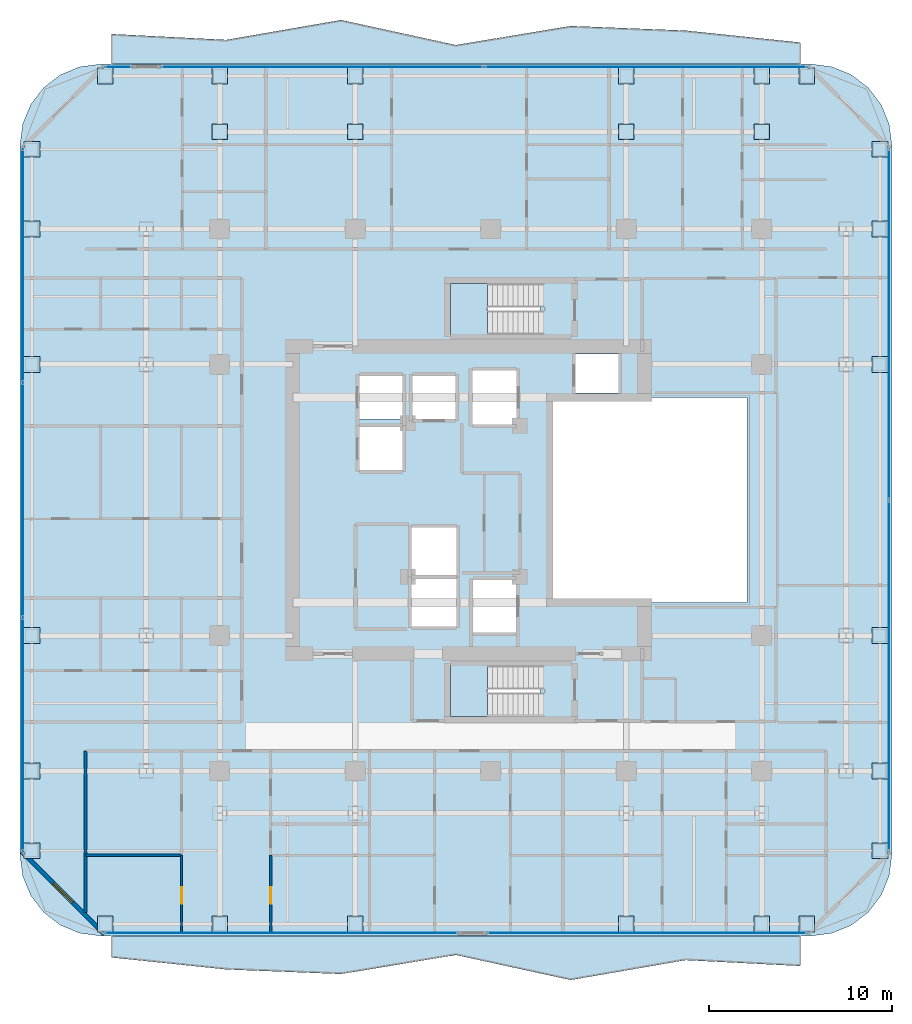
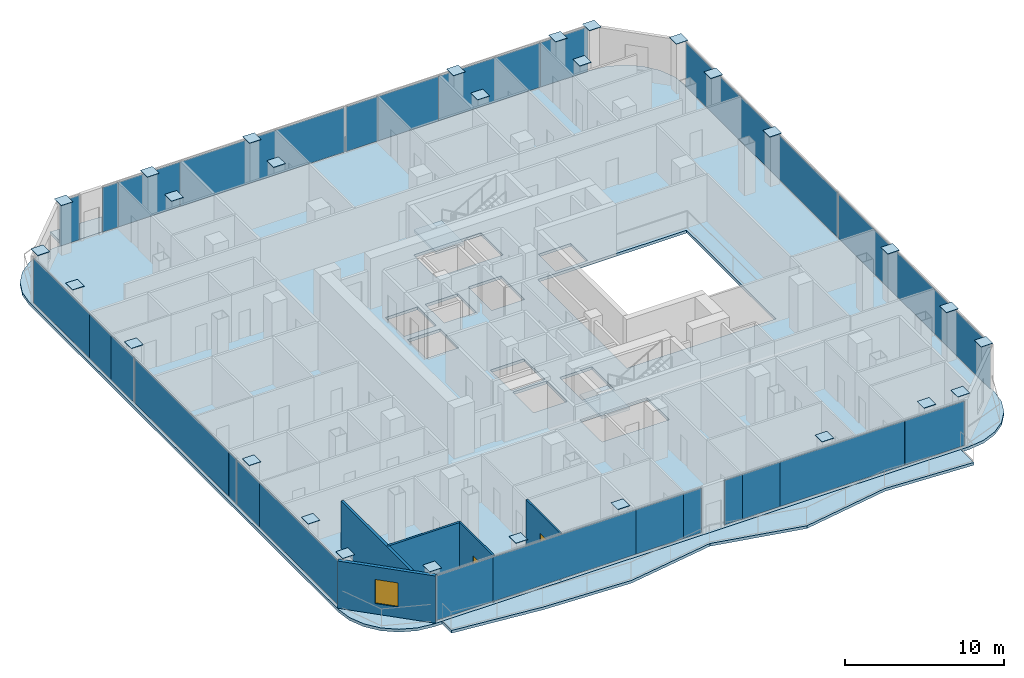
# One storey, part 18 of 26: 53 plates, 5 slabs, 5 walls, 2 doors, 1 window, 3 openings, 8 elements without a shape of their own.
"""IFC4 building model written with IfcOpenShell, lengths in metres."""

from ifc_helpers import new_model, si_unit, direction, frame, frame_2d, origin, origin_2d, place, context, subcontext, project, spatial, polyline, rectangle, outline, extrude, material, layer, layer_set, type_object, element, fill, aggregate, save


model = new_model("IFC4")

# Units and contexts
model_context = context("Model", 3, precision=1e-05, world=origin(), true_north=direction((0.0, 1.0)))
body_context = subcontext(model_context, "Body", "Model", "MODEL_VIEW")
ifc_project = project(units=[si_unit("LENGTHUNIT", "METRE"), si_unit("AREAUNIT", "SQUARE_METRE"), si_unit("VOLUMEUNIT", "CUBIC_METRE"), si_unit("PLANEANGLEUNIT", "RADIAN"), si_unit("MASSUNIT", "GRAM", prefix="KILO")], contexts=[model_context])

# Site, building, storey
site_placement = place(None, origin())
site = spatial("IfcSite", under=ifc_project, at=site_placement, CompositionType="ELEMENT")
building_placement = place(site_placement, origin())
building = spatial("IfcBuilding", under=site, at=building_placement, Name="Khorvyn Point Tower", CompositionType="ELEMENT")
storey_placement = place(building_placement, frame((0.0, 0.0, 187.5)))
storey = spatial("IfcBuildingStorey", under=building, at=storey_placement, Name="L46", CompositionType="ELEMENT", Elevation=187.5)

# Slabs
ifc_material_1 = material(Name="Concrete C35/45", Category="concrete")
ifc_layer_1 = layer(ifc_material_1, 0.219970703125)
ifc_layer_set_1 = layer_set([ifc_layer_1], Name="Concrete C35/45 Structural Floor Slab 220")
slab_type_1 = type_object("IfcSlabType", Name="Concrete C35/45 Structural Floor Slab 220", PredefinedType="FLOOR", material=ifc_layer_set_1)
slab_1_placement = place(storey_placement, frame((0.0, 0.0, -0.219970703125)))
element("IfcSlab", 1, at=slab_1_placement, inside=storey, type_object=slab_type_1, Name="L46 Main Structural Floor Slab", PredefinedType="FLOOR", context=body_context, shape_type="SweptSolid", body=[
    extrude(outline(polyline([(-21.300048828125, -23.800048828125), (-22.438720703125, -23.650146484375), (-23.5, -23.21044921875), (-24.411376953125, -22.51123046875), (-25.110595703125, -21.60009765625), (-25.550048828125, -20.538818359375), (-25.699951171875, -19.39990234375), (-25.699951171875, 19.39990234375), (-25.550048828125, 20.538818359375), (-25.110595703125, 21.60009765625), (-24.411376953125, 22.51123046875), (-23.5, 23.21044921875), (-22.438720703125, 23.650146484375), (-21.300048828125, 23.800048828125), (17.5, 23.800048828125), (18.638916015625, 23.650146484375), (19.699951171875, 23.21044921875), (20.611328125, 22.51123046875), (21.310546875, 21.60009765625), (21.75, 20.538818359375), (21.89990234375, 19.39990234375), (21.89990234375, -19.39990234375), (21.75, -20.538818359375), (21.310546875, -21.60009765625), (20.611328125, -22.51123046875), (19.699951171875, -23.21044921875), (18.638916015625, -23.650146484375), (17.5, -23.800048828125), (-21.300048828125, -23.800048828125)]), holes=[polyline([(-1.875, -6.89990234375), (-1.875, -4.300048828125), (-4.324951171875, -4.300048828125), (-4.324951171875, -6.89990234375), (-1.875, -6.89990234375)]), polyline([(-1.875, -4.10009765625), (-1.875, -1.5), (-4.324951171875, -1.5), (-4.324951171875, -4.10009765625), (-1.875, -4.10009765625)]), polyline([(-4.824951171875, 1.625), (-4.824951171875, 3.97509765625), (-7.175048828125, 3.97509765625), (-7.175048828125, 1.625), (-4.824951171875, 1.625)]), polyline([(-7.175048828125, 4.425048828125), (-4.824951171875, 4.425048828125), (-4.824951171875, 6.77490234375), (-7.175048828125, 6.77490234375), (-7.175048828125, 4.425048828125)]), polyline([(-4.27490234375, 4.425048828125), (-1.925048828125, 4.425048828125), (-1.925048828125, 6.77490234375), (-4.27490234375, 6.77490234375), (-4.27490234375, 4.425048828125)]), polyline([(1.39990234375, 4.125), (1.39990234375, 7.074951171875), (-1.0, 7.074951171875), (-1.0, 4.125), (1.39990234375, 4.125)]), polyline([(-2.199951171875, -11.820068359375), (2.679931640625, -11.820068359375), (2.679931640625, -9.02001953125), (-2.199951171875, -9.02001953125), (-2.199951171875, -11.820068359375)]), polyline([(-0.97509765625, -7.22509765625), (1.375, -7.22509765625), (1.375, -4.375), (-0.97509765625, -4.375), (-0.97509765625, -7.22509765625)]), polyline([(14.0, -5.60009765625), (14.0, 5.60009765625), (3.199951171875, 5.60009765625), (3.199951171875, -5.60009765625), (14.0, -5.60009765625)]), polyline([(4.625, 5.85009765625), (6.97509765625, 5.85009765625), (6.97509765625, 7.97998046875), (4.625, 7.97998046875), (4.625, 5.85009765625)]), polyline([(-2.199951171875, 9.02001953125), (2.679931640625, 9.02001953125), (2.679931640625, 11.820068359375), (-2.199951171875, 11.820068359375), (-2.199951171875, 9.02001953125)])]), origin(), (0.0, 0.0, 1.0), 0.219970703125),
])
ifc_material_2 = material(Name="Concrete C40/50", Category="concrete")
ifc_layer_2 = layer(ifc_material_2, 0.2099609375)
ifc_layer_set_2 = layer_set([ifc_layer_2], Name="Concrete C40/50 Rippling Balcony Slab 210")
slab_type_2 = type_object("IfcSlabType", Name="Concrete C40/50 Rippling Balcony Slab 210", PredefinedType="USERDEFINED", material=ifc_layer_set_2)
slab_2_placement = place(storey_placement, frame((0.0, 0.0, -0.2099609375)))
element("IfcSlab", 2, at=slab_2_placement, inside=storey, type_object=slab_type_2, Name="L46 North Sinusoidal Rippling Balcony", ObjectType="BALCONY", PredefinedType="USERDEFINED", context=body_context, shape_type="SweptSolid", body=[
    extrude(outline(polyline([(16.89990234375, 23.800048828125), (16.89990234375, 24.978759765625), (10.63330078125, 25.630859375), (4.36669921875, 25.8798828125), (-1.89990234375, 24.8408203125), (-8.166748046875, 26.20703125), (-14.433349609375, 25.12255859375), (-20.699951171875, 25.441650390625), (-20.699951171875, 23.800048828125), (16.89990234375, 23.800048828125)])), origin(), (0.0, 0.0, 1.0), 0.2099609375),
])
slab_3_placement = place(storey_placement, frame((0.0, 0.0, -0.2099609375)))
element("IfcSlab", 3, at=slab_3_placement, inside=storey, type_object=slab_type_2, Name="L46 South Sinusoidal Rippling Balcony", ObjectType="BALCONY", PredefinedType="USERDEFINED", context=body_context, shape_type="SweptSolid", body=[
    extrude(outline(polyline([(-20.699951171875, -23.800048828125), (-20.699951171875, -24.978759765625), (-14.433349609375, -25.630859375), (-8.166748046875, -25.8798828125), (-1.89990234375, -24.8408203125), (4.36669921875, -26.20703125), (10.63330078125, -25.12255859375), (16.89990234375, -25.441650390625), (16.89990234375, -23.800048828125), (-20.699951171875, -23.800048828125)])), origin(), (0.0, 0.0, 1.0), 0.2099609375),
])

# Stair, slab
stair_type = type_object("IfcStairType", Name="Tower Concrete C40/50 Dogleg Exit Stair", PredefinedType="HALF_TURN_STAIR", material=ifc_material_2)
stair_1_placement = place(storey_placement, origin())
stair_1 = element("IfcStair", 4, at=stair_1_placement, inside=storey, type_object=stair_type, Name="L46 Tower Smokeproof Exit Stair South", PredefinedType="HALF_TURN_STAIR")
ifc_layer_3 = layer(ifc_material_2, 0.199951171875)
ifc_layer_set_3 = layer_set([ifc_layer_3], Name="Concrete C40/50 Stair Landing Slab 200")
slab_type_3 = type_object("IfcSlabType", Name="Concrete C40/50 Stair Landing Slab 200", PredefinedType="LANDING", material=ifc_layer_set_3)
slab_4_placement = place(storey_placement, frame((0.0, 0.0, 1.75)))
slab_4 = element("IfcSlab", 5, at=slab_4_placement, type_object=slab_type_3, Name="ST-01 landing 1", PredefinedType="LANDING", context=body_context, shape_type="SweptSolid", body=[
    extrude(outline(polyline([(-0.179931640625, -9.02001953125), (-2.199951171875, -9.02001953125), (-2.199951171875, -11.820068359375), (-0.179931640625, -11.820068359375), (-0.179931640625, -9.02001953125)])), origin(), (0.0, 0.0, 1.0), 0.199951171875),
])
aggregate(stair_1, [slab_4])

stair_2_placement = place(storey_placement, origin())
stair_2 = element("IfcStair", 6, at=stair_2_placement, inside=storey, type_object=stair_type, Name="L46 Tower Smokeproof Exit Stair North", PredefinedType="HALF_TURN_STAIR")
slab_5_placement = place(storey_placement, frame((0.0, 0.0, 1.75)))
slab_5 = element("IfcSlab", 7, at=slab_5_placement, type_object=slab_type_3, Name="ST-02 landing 1", PredefinedType="LANDING", context=body_context, shape_type="SweptSolid", body=[
    extrude(outline(polyline([(-0.179931640625, 11.820068359375), (-2.199951171875, 11.820068359375), (-2.199951171875, 9.02001953125), (-0.179931640625, 9.02001953125), (-0.179931640625, 11.820068359375)])), origin(), (0.0, 0.0, 1.0), 0.199951171875),
])
aggregate(stair_2, [slab_5])

# Plates
ifc_material_3 = material(Name="Steel S450", Category="steel")
ifc_layer_4 = layer(ifc_material_3, 0.031982421875)
ifc_layer_set_4 = layer_set([ifc_layer_4], Name="Steel S450 Exoskeleton End Cap Plate 32")
plate_type_1 = type_object("IfcPlateType", Name="Steel S450 Exoskeleton End Cap Plate 32", PredefinedType="USERDEFINED", material=ifc_layer_set_4)
for number, where, z_axis, x_axis, name in (
    (8, (-14.800048828125, 20.10009765625, 3.89404296875), (0.0, 0.0, 1.0), (1.0, 0.0, 0.0), "Plate"),
    (9, (-7.39990234375, 20.10009765625, 3.89404296875), (0.0, 0.0, 1.0), (1.0, 0.0, 0.0), "Plate"),
    (10, (7.39990234375, 20.10009765625, 3.89404296875), (0.0, 0.0, 1.0), (1.0, 0.0, 0.0), "Plate"),
    (11, (14.800048828125, 20.10009765625, 3.89404296875), (0.0, 0.0, 1.0), (1.0, 0.0, 0.0), "Plate"),
    (12, (-21.050048828125, -23.14990234375, 3.89404296875), (0.0, 0.0, 1.0), (1.0, 0.0, 0.0), "Plate"),
    (13, (17.25, -23.14990234375, 3.89404296875), (0.0, 0.0, 1.0), (1.0, 0.0, 0.0), "Plate"),
    (14, (-21.050048828125, 23.14990234375, 3.89404296875), (0.0, 0.0, 1.0), (1.0, 0.0, 0.0), "Plate"),
    (15, (17.25, 23.14990234375, 3.89404296875), (0.0, 0.0, 1.0), (1.0, 0.0, 0.0), "Plate"),
    (16, (-25.050048828125, -19.14990234375, 3.89404296875), (0.0, 0.0, 1.0), (1.0, 0.0, 0.0), "Plate"),
    (17, (-25.050048828125, 19.14990234375, 3.89404296875), (0.0, 0.0, 1.0), (1.0, 0.0, 0.0), "Plate"),
    (18, (21.25, -19.14990234375, 3.89404296875), (0.0, 0.0, 1.0), (1.0, 0.0, 0.0), "Plate"),
    (19, (21.25, 19.14990234375, 3.89404296875), (0.0, 0.0, 1.0), (1.0, 0.0, 0.0), "Plate"),
    (20, (-14.800048828125, -23.14990234375, 3.89404296875), (0.0, 0.0, 1.0), (1.0, 0.0, 0.0), "Plate"),
    (21, (-14.800048828125, 23.14990234375, 3.89404296875), (0.0, 0.0, 1.0), (1.0, 0.0, 0.0), "Plate"),
    (22, (-7.39990234375, -23.14990234375, 3.89404296875), (0.0, 0.0, 1.0), (1.0, 0.0, 0.0), "Plate"),
    (23, (-7.39990234375, 23.14990234375, 3.89404296875), (0.0, 0.0, 1.0), (1.0, 0.0, 0.0), "Plate"),
    (24, (7.39990234375, -23.14990234375, 3.89404296875), (0.0, 0.0, 1.0), (1.0, 0.0, 0.0), "Plate"),
    (25, (7.39990234375, 23.14990234375, 3.89404296875), (0.0, 0.0, 1.0), (1.0, 0.0, 0.0), "Plate"),
    (26, (14.800048828125, -23.14990234375, 3.89404296875), (0.0, 0.0, 1.0), (1.0, 0.0, 0.0), "Plate"),
    (27, (14.800048828125, 23.14990234375, 3.89404296875), (0.0, 0.0, 1.0), (1.0, 0.0, 0.0), "Plate"),
    (28, (-25.050048828125, -14.800048828125, 3.89404296875), (0.0, 0.0, 1.0), (1.0, 0.0, 0.0), "Plate"),
    (29, (21.25, -14.800048828125, 3.89404296875), (0.0, 0.0, 1.0), (1.0, 0.0, 0.0), "Plate"),
    (30, (-25.050048828125, -7.39990234375, 3.89404296875), (0.0, 0.0, 1.0), (1.0, 0.0, 0.0), "Plate"),
    (31, (21.25, -7.39990234375, 3.89404296875), (0.0, 0.0, 1.0), (1.0, 0.0, 0.0), "Plate"),
    (32, (-25.050048828125, 7.39990234375, 3.89404296875), (0.0, 0.0, 1.0), (1.0, 0.0, 0.0), "Plate"),
    (33, (21.25, 7.39990234375, 3.89404296875), (0.0, 0.0, 1.0), (1.0, 0.0, 0.0), "Plate"),
    (34, (-25.050048828125, 14.800048828125, 3.89404296875), (0.0, 0.0, 1.0), (1.0, 0.0, 0.0), "Plate"),
    (35, (21.25, 14.800048828125, 3.89404296875), (0.0, 0.0, 1.0), (1.0, 0.0, 0.0), "Plate"),
):
    element("IfcPlate", number, at=place(storey_placement, frame(where, z_axis=z_axis, x_axis=x_axis)), inside=storey, type_object=plate_type_1, Name=name, ObjectType="GUSSET", PredefinedType="USERDEFINED", context=body_context, shape_type="SweptSolid", body=[
        extrude(rectangle(XDim=0.860107421875, YDim=0.860107421875, at=origin_2d()), origin(), (0.0, 0.0, 1.0), 0.031982421875),
    ])

# Curtain wall, plates
ifc_material_4 = material(Name="Anodised aluminium 6063-T6 and laminated Low-E glass", Category="aluminium")
ifc_layer_5 = layer(ifc_material_4, 0.18994140625)
ifc_layer_set_5 = layer_set([ifc_layer_5], Name="Stick-Built Acoustic Curtain Wall CW-SYS-03")
curtain_wall_type = type_object("IfcCurtainWallType", Name="Stick-Built Acoustic Curtain Wall CW-SYS-03", PredefinedType="NOTDEFINED", material=ifc_layer_set_5)
curtain_wall_1_placement = place(storey_placement, origin())
curtain_wall_1 = element("IfcCurtainWall", 36, at=curtain_wall_1_placement, inside=storey, type_object=curtain_wall_type, Name="Curtain Wall", PredefinedType="NOTDEFINED")
ifc_material_5 = material(Name="Laminated Low-E insulated glass", Category="glass")
ifc_layer_6 = layer(ifc_material_5, 0.028076171875)
ifc_layer_set_6 = layer_set([ifc_layer_6], Name="Tempered Low-E Vision Glazing Panel CW-GL28")
plate_type_2 = type_object("IfcPlateType", Name="Tempered Low-E Vision Glazing Panel CW-GL28", PredefinedType="CURTAIN_PANEL", material=ifc_layer_set_6)
plate_1_placement = place(storey_placement, frame((0.487060546875, -23.64990234375, 0.10009765625), z_axis=(0.0, 0.0, 1.0), x_axis=(-1.0, 0.0, 0.0)))
plate_1 = element("IfcPlate", 37, at=plate_1_placement, type_object=plate_type_2, Name="Panel", PredefinedType="CURTAIN_PANEL", context=body_context, shape_type="SweptSolid", body=[
    extrude(rectangle(XDim=1.298095703125, YDim=0.028076171875, at=origin_2d()), origin(), (0.0, 0.0, 1.0), 3.419921875),
])
plate_2_placement = place(storey_placement, frame((2.5048828125, -23.64990234375, 0.10009765625), z_axis=(0.0, 0.0, 1.0), x_axis=(-1.0, 0.0, 0.0)))
plate_2 = element("IfcPlate", 38, at=plate_2_placement, type_object=plate_type_2, Name="Panel", PredefinedType="CURTAIN_PANEL", context=body_context, shape_type="SweptSolid", body=[
    extrude(rectangle(XDim=2.721923828125, YDim=0.028076171875, at=origin_2d()), origin(), (0.0, 0.0, 1.0), 3.419921875),
])
plate_3_placement = place(storey_placement, frame((8.39453125, -23.64990234375, 0.10009765625), z_axis=(0.0, 0.0, 1.0), x_axis=(-1.0, 0.0, 0.0)))
plate_3 = element("IfcPlate", 39, at=plate_3_placement, type_object=plate_type_2, Name="Panel", PredefinedType="CURTAIN_PANEL", context=body_context, shape_type="SweptSolid", body=[
    extrude(rectangle(XDim=9.041015625, YDim=0.028076171875, at=origin_2d()), origin(), (0.0, 0.0, 1.0), 3.419921875),
])
plate_4_placement = place(storey_placement, frame((15.08447265625, -23.64990234375, 0.10009765625), z_axis=(0.0, 0.0, 1.0), x_axis=(-1.0, 0.0, 0.0)))
plate_4 = element("IfcPlate", 40, at=plate_4_placement, type_object=plate_type_2, Name="Panel", PredefinedType="CURTAIN_PANEL", context=body_context, shape_type="SweptSolid", body=[
    extrude(rectangle(XDim=4.322998046875, YDim=0.028076171875, at=origin_2d()), origin(), (0.0, 0.0, 1.0), 3.419921875),
])
aggregate(curtain_wall_1, [plate_1, plate_2, plate_3, plate_4])

curtain_wall_2_placement = place(storey_placement, origin())
curtain_wall_2 = element("IfcCurtainWall", 41, at=curtain_wall_2_placement, inside=storey, type_object=curtain_wall_type, Name="Curtain Wall", PredefinedType="NOTDEFINED")
plate_5_placement = place(storey_placement, frame((-18.992919921875, -23.64990234375, 0.10009765625), z_axis=(0.0, 0.0, 1.0), x_axis=(-1.0, 0.0, 0.0)))
plate_5 = element("IfcPlate", 42, at=plate_5_placement, type_object=plate_type_2, Name="Panel", PredefinedType="CURTAIN_PANEL", context=body_context, shape_type="SweptSolid", body=[
    extrude(rectangle(XDim=4.10595703125, YDim=0.028076171875, at=origin_2d()), origin(), (0.0, 0.0, 1.0), 3.419921875),
])
plate_6_placement = place(storey_placement, frame((-11.7470703125, -23.64990234375, 0.10009765625), z_axis=(0.0, 0.0, 1.0), x_axis=(-1.0, 0.0, 0.0)))
plate_6 = element("IfcPlate", 43, at=plate_6_placement, type_object=plate_type_2, Name="Panel", PredefinedType="CURTAIN_PANEL", context=body_context, shape_type="SweptSolid", body=[
    extrude(rectangle(XDim=10.3701171875, YDim=0.028076171875, at=origin_2d()), origin(), (0.0, 0.0, 1.0), 3.419921875),
])
plate_7_placement = place(storey_placement, frame((-4.83544921875, -23.64990234375, 0.10009765625), z_axis=(0.0, 0.0, 1.0), x_axis=(-1.0, 0.0, 0.0)))
plate_7 = element("IfcPlate", 44, at=plate_7_placement, type_object=plate_type_2, Name="Panel", PredefinedType="CURTAIN_PANEL", context=body_context, shape_type="SweptSolid", body=[
    extrude(rectangle(XDim=3.43701171875, YDim=0.028076171875, at=origin_2d()), origin(), (0.0, 0.0, 1.0), 3.419921875),
])
plate_8_placement = place(storey_placement, frame((-2.45947265625, -23.64990234375, 0.10009765625), z_axis=(0.0, 0.0, 1.0), x_axis=(-1.0, 0.0, 0.0)))
plate_8 = element("IfcPlate", 45, at=plate_8_placement, type_object=plate_type_2, Name="Panel", PredefinedType="CURTAIN_PANEL", context=body_context, shape_type="SweptSolid", body=[
    extrude(rectangle(XDim=1.299072265625, YDim=0.028076171875, at=origin_2d()), origin(), (0.0, 0.0, 1.0), 3.419921875),
])
aggregate(curtain_wall_2, [plate_5, plate_6, plate_7, plate_8])

# Curtain wall, plate
curtain_wall_3_placement = place(storey_placement, origin())
curtain_wall_3 = element("IfcCurtainWall", 46, at=curtain_wall_3_placement, inside=storey, type_object=curtain_wall_type, Name="Curtain Wall", PredefinedType="NOTDEFINED")
plate_9_placement = place(storey_placement, frame((-20.3291015625, 23.64990234375, 0.10009765625), z_axis=(0.0, 0.0, 1.0), x_axis=(1.0, 0.0, 0.0)))
plate_9 = element("IfcPlate", 47, at=plate_9_placement, type_object=plate_type_2, Name="Panel", PredefinedType="CURTAIN_PANEL", context=body_context, shape_type="SweptSolid", body=[
    extrude(rectangle(XDim=1.44189453125, YDim=0.028076171875, at=origin_2d()), origin(), (0.0, 0.0, 1.0), 3.419921875),
])
aggregate(curtain_wall_3, [plate_9])

# Curtain wall, plates
curtain_wall_4_placement = place(storey_placement, origin())
curtain_wall_4 = element("IfcCurtainWall", 48, at=curtain_wall_4_placement, inside=storey, type_object=curtain_wall_type, Name="Curtain Wall", PredefinedType="NOTDEFINED")
plate_10_placement = place(storey_placement, frame((-17.37646484375, 23.64990234375, 0.10009765625), z_axis=(0.0, 0.0, 1.0), x_axis=(1.0, 0.0, 0.0)))
plate_10 = element("IfcPlate", 49, at=plate_10_placement, type_object=plate_type_2, Name="Panel", PredefinedType="CURTAIN_PANEL", context=body_context, shape_type="SweptSolid", body=[
    extrude(rectangle(XDim=1.175048828125, YDim=0.028076171875, at=origin_2d()), origin(), (0.0, 0.0, 1.0), 3.419921875),
])
plate_11_placement = place(storey_placement, frame((-14.5625, 23.64990234375, 0.10009765625), z_axis=(0.0, 0.0, 1.0), x_axis=(1.0, 0.0, 0.0)))
plate_11 = element("IfcPlate", 50, at=plate_11_placement, type_object=plate_type_2, Name="Panel", PredefinedType="CURTAIN_PANEL", context=body_context, shape_type="SweptSolid", body=[
    extrude(rectangle(XDim=4.43701171875, YDim=0.028076171875, at=origin_2d()), origin(), (0.0, 0.0, 1.0), 3.419921875),
])
plate_12_placement = place(storey_placement, frame((-6.37451171875, 23.64990234375, 0.10009765625), z_axis=(0.0, 0.0, 1.0), x_axis=(1.0, 0.0, 0.0)))
plate_12 = element("IfcPlate", 51, at=plate_12_placement, type_object=plate_type_2, Name="Panel", PredefinedType="CURTAIN_PANEL", context=body_context, shape_type="SweptSolid", body=[
    extrude(rectangle(XDim=11.923095703125, YDim=0.028076171875, at=origin_2d()), origin(), (0.0, 0.0, 1.0), 3.419921875),
])
plate_13_placement = place(storey_placement, frame((0.861572265625, 23.64990234375, 0.10009765625), z_axis=(0.0, 0.0, 1.0), x_axis=(1.0, 0.0, 0.0)))
plate_13 = element("IfcPlate", 52, at=plate_13_placement, type_object=plate_type_2, Name="Panel", PredefinedType="CURTAIN_PANEL", context=body_context, shape_type="SweptSolid", body=[
    extrude(rectangle(XDim=2.3330078125, YDim=0.028076171875, at=origin_2d()), origin(), (0.0, 0.0, 1.0), 3.419921875),
])
plate_14_placement = place(storey_placement, frame((4.22509765625, 23.64990234375, 0.10009765625), z_axis=(0.0, 0.0, 1.0), x_axis=(1.0, 0.0, 0.0)))
plate_14 = element("IfcPlate", 53, at=plate_14_placement, type_object=plate_type_2, Name="Panel", PredefinedType="CURTAIN_PANEL", context=body_context, shape_type="SweptSolid", body=[
    extrude(rectangle(XDim=4.3779296875, YDim=0.028076171875, at=origin_2d()), origin(), (0.0, 0.0, 1.0), 3.419921875),
])
plate_15_placement = place(storey_placement, frame((10.1044921875, 23.64990234375, 0.10009765625), z_axis=(0.0, 0.0, 1.0), x_axis=(1.0, 0.0, 0.0)))
plate_15 = element("IfcPlate", 54, at=plate_15_placement, type_object=plate_type_2, Name="Panel", PredefinedType="CURTAIN_PANEL", context=body_context, shape_type="SweptSolid", body=[
    extrude(rectangle(XDim=7.364990234375, YDim=0.028076171875, at=origin_2d()), origin(), (0.0, 0.0, 1.0), 3.419921875),
])
plate_16_placement = place(storey_placement, frame((15.5205078125, 23.64990234375, 0.10009765625), z_axis=(0.0, 0.0, 1.0), x_axis=(1.0, 0.0, 0.0)))
plate_16 = element("IfcPlate", 55, at=plate_16_placement, type_object=plate_type_2, Name="Panel", PredefinedType="CURTAIN_PANEL", context=body_context, shape_type="SweptSolid", body=[
    extrude(rectangle(XDim=3.450927734375, YDim=0.028076171875, at=origin_2d()), origin(), (0.0, 0.0, 1.0), 3.419921875),
])
aggregate(curtain_wall_4, [plate_10, plate_11, plate_12, plate_13, plate_14, plate_15, plate_16])

curtain_wall_5_placement = place(storey_placement, origin())
curtain_wall_5 = element("IfcCurtainWall", 56, at=curtain_wall_5_placement, inside=storey, type_object=curtain_wall_type, Name="Curtain Wall", PredefinedType="NOTDEFINED")
plate_17_placement = place(storey_placement, frame((-25.550048828125, -14.205078125, 0.10009765625), z_axis=(0.0, 0.0, 1.0), x_axis=(0.0, 1.0, 0.0)))
plate_17 = element("IfcPlate", 57, at=plate_17_placement, type_object=plate_type_2, Name="Panel", PredefinedType="CURTAIN_PANEL", context=body_context, shape_type="SweptSolid", body=[
    extrude(rectangle(XDim=9.882080078125, YDim=0.028076171875, at=origin_2d()), origin(), (0.0, 0.0, 1.0), 3.419921875),
])
plate_18_placement = place(storey_placement, frame((-25.550048828125, -7.86328125, 0.10009765625), z_axis=(0.0, 0.0, 1.0), x_axis=(0.0, 1.0, 0.0)))
plate_18 = element("IfcPlate", 58, at=plate_18_placement, type_object=plate_type_2, Name="Panel", PredefinedType="CURTAIN_PANEL", context=body_context, shape_type="SweptSolid", body=[
    extrude(rectangle(XDim=2.785400390625, YDim=0.028076171875, at=origin_2d()), origin(), (0.0, 0.0, 1.0), 3.419921875),
])
plate_19_placement = place(storey_placement, frame((-25.550048828125, -5.8876953125, 0.10009765625), z_axis=(0.0, 0.0, 1.0), x_axis=(0.0, 1.0, 0.0)))
plate_19 = element("IfcPlate", 59, at=plate_19_placement, type_object=plate_type_2, Name="Panel", PredefinedType="CURTAIN_PANEL", context=body_context, shape_type="SweptSolid", body=[
    extrude(rectangle(XDim=0.94970703125, YDim=0.028076171875, at=origin_2d()), origin(), (0.0, 0.0, 1.0), 3.419921875),
])
plate_20_placement = place(storey_placement, frame((-25.550048828125, 0.478759765625, 0.10009765625), z_axis=(0.0, 0.0, 1.0), x_axis=(0.0, 1.0, 0.0)))
plate_20 = element("IfcPlate", 60, at=plate_20_placement, type_object=plate_type_2, Name="Panel", PredefinedType="CURTAIN_PANEL", context=body_context, shape_type="SweptSolid", body=[
    extrude(rectangle(XDim=11.767578125, YDim=0.028076171875, at=origin_2d()), origin(), (0.0, 0.0, 1.0), 3.419921875),
])
plate_21_placement = place(storey_placement, frame((-25.550048828125, 7.92333984375, 0.10009765625), z_axis=(0.0, 0.0, 1.0), x_axis=(0.0, 1.0, 0.0)))
plate_21 = element("IfcPlate", 61, at=plate_21_placement, type_object=plate_type_2, Name="Panel", PredefinedType="CURTAIN_PANEL", context=body_context, shape_type="SweptSolid", body=[
    extrude(rectangle(XDim=2.9052734375, YDim=0.028076171875, at=origin_2d()), origin(), (0.0, 0.0, 1.0), 3.419921875),
])
plate_22_placement = place(storey_placement, frame((-25.550048828125, 10.719970703125, 0.10009765625), z_axis=(0.0, 0.0, 1.0), x_axis=(0.0, 1.0, 0.0)))
plate_22 = element("IfcPlate", 62, at=plate_22_placement, type_object=plate_type_2, Name="Panel", PredefinedType="CURTAIN_PANEL", context=body_context, shape_type="SweptSolid", body=[
    extrude(rectangle(XDim=2.672119140625, YDim=0.028076171875, at=origin_2d()), origin(), (0.0, 0.0, 1.0), 3.419921875),
])
plate_23_placement = place(storey_placement, frame((-25.550048828125, 15.60498046875, 0.10009765625), z_axis=(0.0, 0.0, 1.0), x_axis=(0.0, 1.0, 0.0)))
plate_23 = element("IfcPlate", 63, at=plate_23_placement, type_object=plate_type_2, Name="Panel", PredefinedType="CURTAIN_PANEL", context=body_context, shape_type="SweptSolid", body=[
    extrude(rectangle(XDim=7.08203125, YDim=0.028076171875, at=origin_2d()), origin(), (0.0, 0.0, 1.0), 3.419921875),
])
aggregate(curtain_wall_5, [plate_17, plate_18, plate_19, plate_20, plate_21, plate_22, plate_23])

curtain_wall_6_placement = place(storey_placement, origin())
curtain_wall_6 = element("IfcCurtainWall", 64, at=curtain_wall_6_placement, inside=storey, type_object=curtain_wall_type, Name="Curtain Wall", PredefinedType="NOTDEFINED")
plate_24_placement = place(storey_placement, frame((21.75, 9.60009765625, 0.10009765625), z_axis=(0.0, 0.0, 1.0), x_axis=(0.0, -1.0, 0.0)))
plate_24 = element("IfcPlate", 65, at=plate_24_placement, type_object=plate_type_2, Name="Panel", PredefinedType="CURTAIN_PANEL", context=body_context, shape_type="SweptSolid", body=[
    extrude(rectangle(XDim=19.10009765625, YDim=0.028076171875, at=origin_2d()), origin(), (0.0, 0.0, 1.0), 3.419921875),
])
plate_25_placement = place(storey_placement, frame((21.75, -9.60009765625, 0.10009765625), z_axis=(0.0, 0.0, 1.0), x_axis=(0.0, -1.0, 0.0)))
plate_25 = element("IfcPlate", 66, at=plate_25_placement, type_object=plate_type_2, Name="Panel", PredefinedType="CURTAIN_PANEL", context=body_context, shape_type="SweptSolid", body=[
    extrude(rectangle(XDim=19.10009765625, YDim=0.028076171875, at=origin_2d()), origin(), (0.0, 0.0, 1.0), 3.419921875),
])
aggregate(curtain_wall_6, [plate_24, plate_25])

# Wall
ifc_material_6 = material(Name="Double acoustic gypsum on twin steel stud", Category="steel")
ifc_layer_7 = layer(ifc_material_6, 0.179931640625)
ifc_layer_set_7 = layer_set([ifc_layer_7], Name="Acoustic Double-Stud Apartment Demising Wall 180")
wall_type_1 = type_object("IfcWallType", Name="Acoustic Double-Stud Apartment Demising Wall 180", PredefinedType="PARTITIONING", material=ifc_layer_set_7)
wall_1_placement = place(storey_placement, frame((-22.1201171875, -22.510009765625, 0.0), z_axis=(0.0, 0.0, 1.0), x_axis=(0.0, 1.0, 0.0)))
element("IfcWall", 67, at=wall_1_placement, inside=storey, type_object=wall_type_1, Name="Wall", PredefinedType="PARTITIONING", context=body_context, shape_type="SweptSolid", body=[
    extrude(rectangle(XDim=8.81005859375, YDim=0.179931640625, at=frame_2d((4.405029296875, 0.0))), origin(), (0.0, 0.0, 1.0), 3.6201171875),
])

# Wall, opening, window
ifc_material_7 = material(Name="Pale anodised aluminium rainscreen on steel stud", Category="steel")
ifc_layer_8 = layer(ifc_material_7, 0.239990234375)
ifc_layer_set_8 = layer_set([ifc_layer_8], Name="Anodised Aluminium Insulated Corner Spandrel Wall 240")
wall_type_2 = type_object("IfcWallType", Name="Anodised Aluminium Insulated Corner Spandrel Wall 240", PredefinedType="SOLIDWALL", material=ifc_layer_set_8)
wall_2_placement = place(storey_placement, frame((-21.107666015625, -23.6923828125, 0.0), z_axis=(0.0, 0.0, 1.0), x_axis=(-0.707087534163, 0.707126027686, 0.0)))
wall_2 = element("IfcWall", 68, at=wall_2_placement, inside=storey, type_object=wall_type_2, Name="L46 Rounded Corner Wall SW", PredefinedType="SOLIDWALL", context=body_context, shape_type="SweptSolid", body=[
    extrude(rectangle(XDim=6.34228515625, YDim=0.239990234375, at=frame_2d((3.171142578125, 0.0))), origin(), (0.0, 0.0, 1.0), 3.6201171875),
])
opening_1_placement = place(wall_2_placement, frame((2.42138671875, 0.0, 0.800048828125)))
opening_1 = element("IfcOpeningElement", 69, at=opening_1_placement, cuts=wall_2, Name="Opening WN-1518", PredefinedType="OPENING", context=body_context, shape_type="SweptSolid", body=[
    extrude(rectangle(XDim=1.5, YDim=1.85009765625, at=frame_2d((0.75, 0.925048828125))), frame((0.0, 0.1298828125, 0.0), z_axis=(0.0, -1.0, 0.0), x_axis=(1.0, 0.0, 0.0)), (0.0, 0.0, 1.0), 0.260009765625),
])
window_type = type_object("IfcWindowType", Name="Anodised Aluminium Rounded-Corner Panoramic Window 1500x1850", PartitioningType="SINGLE_PANEL", PredefinedType="WINDOW", material=ifc_material_4)
window_placement = place(opening_1_placement, origin())
window = element("IfcWindow", 70, at=window_placement, inside=storey, type_object=window_type, Name="L46 Corner Panoramic Window SW", OverallHeight=1.85009765625, OverallWidth=1.5, PartitioningType="SINGLE_PANEL", PredefinedType="WINDOW", context=body_context, shape_type="SweptSolid", body=[
    extrude(rectangle(XDim=1.5, YDim=1.85009765625, at=frame_2d((0.75, 0.925048828125))), frame((0.0, 0.030029296875, 0.0), z_axis=(0.0, -1.0, 0.0), x_axis=(1.0, 0.0, 0.0)), (0.0, 0.0, 1.0), 0.06005859375),
])
fill(opening_1, window)

# Wall, opening, door
ifc_material_8 = material(Name="Gypsum plasterboard on steel stud", Category="steel")
ifc_layer_9 = layer(ifc_material_8, 0.1201171875)
ifc_layer_set_9 = layer_set([ifc_layer_9], Name="Gypsum Acoustic Stud Room Partition Wall 120")
wall_type_3 = type_object("IfcWallType", Name="Gypsum Acoustic Stud Room Partition Wall 120", PredefinedType="PARTITIONING", material=ifc_layer_set_9)
wall_3_placement = place(storey_placement, frame((-16.8759765625, -23.6298828125, 0.0), z_axis=(0.0, 0.0, 1.0), x_axis=(0.0, 1.0, 0.0)))
wall_3 = element("IfcWall", 71, at=wall_3_placement, inside=storey, type_object=wall_type_3, Name="Wall", PredefinedType="PARTITIONING", context=body_context, shape_type="SweptSolid", body=[
    extrude(rectangle(XDim=4.239990234375, YDim=0.1201171875, at=frame_2d((2.1201171875, 0.0))), origin(), (0.0, 0.0, 1.0), 3.6201171875),
])
opening_2_placement = place(wall_3_placement, frame((1.581298828125, 0.0, 0.0)))
opening_2 = element("IfcOpeningElement", 72, at=opening_2_placement, cuts=wall_3, Name="Opening ID-RM90", PredefinedType="OPENING", context=body_context, shape_type="SweptSolid", body=[
    extrude(rectangle(XDim=0.89990234375, YDim=2.10009765625, at=frame_2d((0.449951171875, 1.050048828125))), frame((0.0, 0.070068359375, 0.0), z_axis=(0.0, -1.0, 0.0), x_axis=(1.0, 0.0, 0.0)), (0.0, 0.0, 1.0), 0.14013671875),
])
ifc_material_9 = material(Name="Engineered oak veneer timber", Category="wood")
door_type = type_object("IfcDoorType", Name="Flush Engineered Timber Room Door 900x2100", OperationType="NOTDEFINED", PredefinedType="DOOR", material=ifc_material_9)
door_1_placement = place(opening_2_placement, origin())
door_1 = element("IfcDoor", 73, at=door_1_placement, inside=storey, type_object=door_type, Name="Door", OperationType="SINGLE_SWING_RIGHT", OverallHeight=2.10009765625, OverallWidth=0.89990234375, PredefinedType="DOOR", context=body_context, shape_type="SweptSolid", body=[
    extrude(rectangle(XDim=0.89990234375, YDim=2.10009765625, at=frame_2d((0.449951171875, 1.050048828125))), frame((0.0, 0.02490234375, 0.0), z_axis=(0.0, -1.0, 0.0), x_axis=(1.0, 0.0, 0.0)), (0.0, 0.0, 1.0), 0.050048828125),
])
fill(opening_2, door_1)

wall_4_placement = place(storey_placement, frame((-12.009033203125, -23.6298828125, 0.0), z_axis=(0.0, 0.0, 1.0), x_axis=(0.0, 1.0, 0.0)))
wall_4 = element("IfcWall", 74, at=wall_4_placement, inside=storey, type_object=wall_type_3, Name="Wall", PredefinedType="PARTITIONING", context=body_context, shape_type="SweptSolid", body=[
    extrude(rectangle(XDim=4.239990234375, YDim=0.1201171875, at=frame_2d((2.1201171875, 0.0))), origin(), (0.0, 0.0, 1.0), 3.6201171875),
])
opening_3_placement = place(wall_4_placement, frame((1.581298828125, 0.0, 0.0)))
opening_3 = element("IfcOpeningElement", 75, at=opening_3_placement, cuts=wall_4, Name="Opening ID-RM90", PredefinedType="OPENING", context=body_context, shape_type="SweptSolid", body=[
    extrude(rectangle(XDim=0.89990234375, YDim=2.10009765625, at=frame_2d((0.449951171875, 1.050048828125))), frame((0.0, 0.070068359375, 0.0), z_axis=(0.0, -1.0, 0.0), x_axis=(1.0, 0.0, 0.0)), (0.0, 0.0, 1.0), 0.14013671875),
])
door_2_placement = place(opening_3_placement, origin())
door_2 = element("IfcDoor", 76, at=door_2_placement, inside=storey, type_object=door_type, Name="Door", OperationType="SINGLE_SWING_LEFT", OverallHeight=2.10009765625, OverallWidth=0.89990234375, PredefinedType="DOOR", context=body_context, shape_type="SweptSolid", body=[
    extrude(rectangle(XDim=0.89990234375, YDim=2.10009765625, at=frame_2d((0.449951171875, 1.050048828125))), frame((0.0, 0.02490234375, 0.0), z_axis=(0.0, -1.0, 0.0), x_axis=(1.0, 0.0, 0.0)), (0.0, 0.0, 1.0), 0.050048828125),
])
fill(opening_3, door_2)

# Wall
ifc_material_10 = material(Name="Moisture-resistant gypsum and cement board", Category="gypsum")
ifc_layer_10 = layer(ifc_material_10, 0.14990234375)
ifc_layer_set_10 = layer_set([ifc_layer_10], Name="Moisture-Resistant Wet-Room Partition Wall 150")
wall_type_4 = type_object("IfcWallType", Name="Moisture-Resistant Wet-Room Partition Wall 150", PredefinedType="PARTITIONING", material=ifc_layer_set_10)
wall_5_placement = place(storey_placement, frame((-22.1201171875, -19.389892578125, 0.0), z_axis=(0.0, 0.0, 1.0), x_axis=(1.0, 0.0, 0.0)))
element("IfcWall", 77, at=wall_5_placement, inside=storey, type_object=wall_type_4, Name="Wall", PredefinedType="PARTITIONING", context=body_context, shape_type="SweptSolid", body=[
    extrude(rectangle(XDim=5.244140625, YDim=0.14990234375, at=frame_2d((2.6220703125, 0.0))), origin(), (0.0, 0.0, 1.0), 3.6201171875),
])

save(model, "model.ifc")
